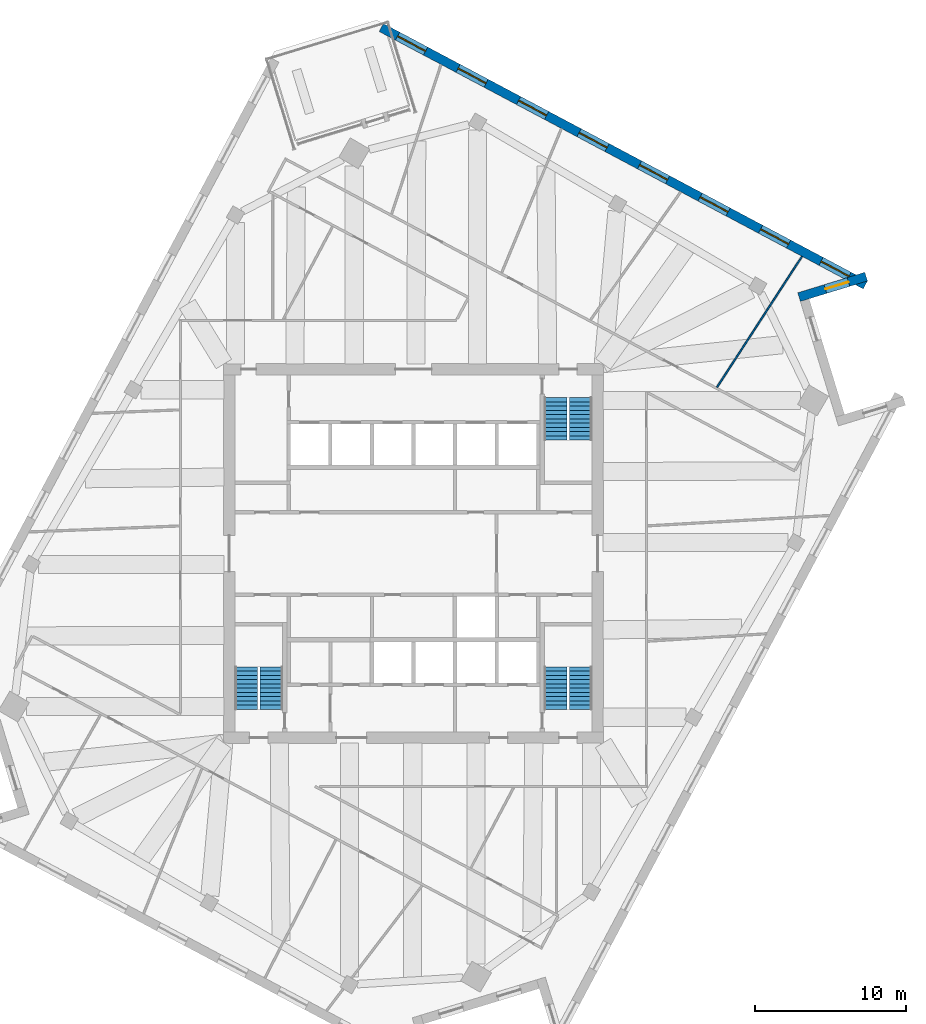
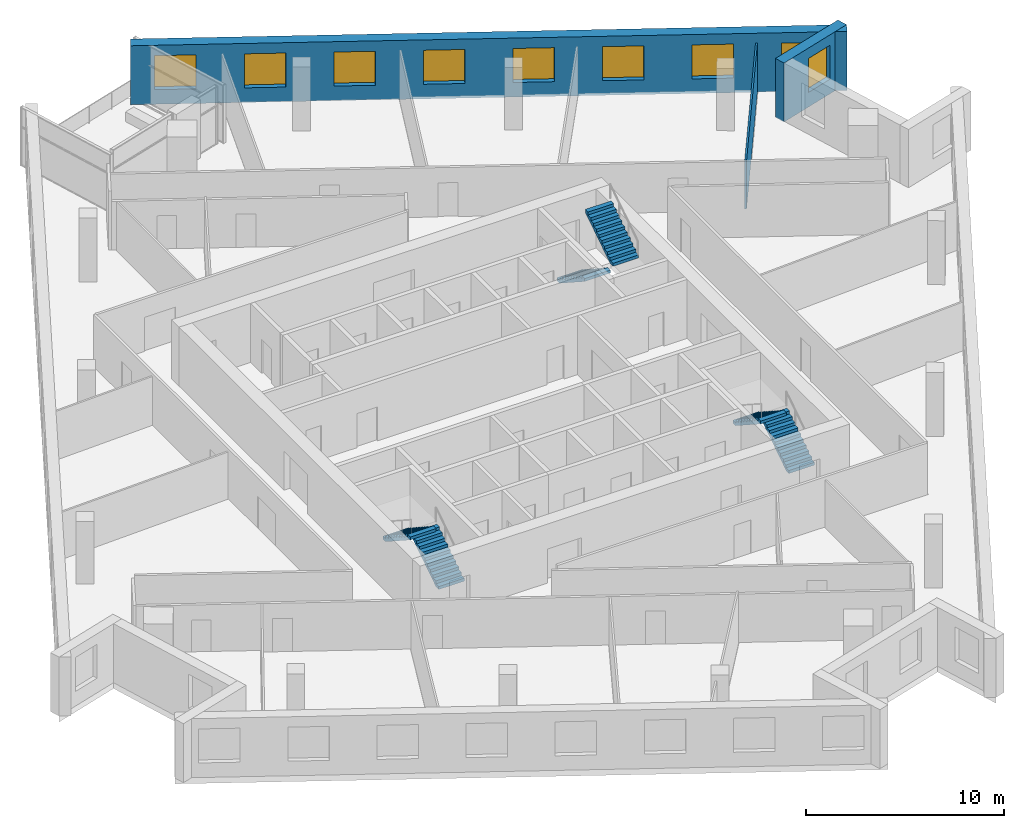
# One storey, part 11 of 13: 9 windows, 6 stair flights, 3 walls, 9 openings, 3 elements without a shape of their own.
"""IFC4 building model written with IfcOpenShell, lengths in metres."""

from ifc_helpers import new_model, si_unit, direction, frame, frame_2d, origin, place, context, subcontext, project, spatial, polyline, rectangle, outline, extrude, material, layer, layer_set, type_object, element, fill, aggregate, save


model = new_model("IFC4")

# Units and contexts
model_context = context("Model", 3, precision=1e-05, world=origin(), true_north=direction((0.0, 1.0)))
body_context = subcontext(model_context, "Body", "Model", "MODEL_VIEW")
ifc_project = project(units=[si_unit("LENGTHUNIT", "METRE"), si_unit("AREAUNIT", "SQUARE_METRE"), si_unit("VOLUMEUNIT", "CUBIC_METRE"), si_unit("PLANEANGLEUNIT", "RADIAN"), si_unit("MASSUNIT", "GRAM", prefix="KILO")], contexts=[model_context])

# Site, building, storey
site_placement = place(None, origin())
site = spatial("IfcSite", under=ifc_project, at=site_placement, CompositionType="ELEMENT")
building_placement = place(site_placement, origin())
building = spatial("IfcBuilding", under=site, at=building_placement, Name="Dilmun Exchange Tower", CompositionType="ELEMENT")
storey_placement = place(building_placement, frame((0.0, 0.0, 278.89990234375)))
storey = spatial("IfcBuildingStorey", under=building, at=storey_placement, Name="L66", CompositionType="ELEMENT", Elevation=278.89990234375)

# Wall
ifc_material_1 = material(Name="Partition 100")
ifc_layer_1 = layer(ifc_material_1, 0.10009765625)
ifc_layer_set_1 = layer_set([ifc_layer_1], Name="Partition 100")
wall_type_1 = type_object("IfcWallType", Name="Partition 100", PredefinedType="PARTITIONING", material=ifc_layer_set_1)
wall_1_placement = place(storey_placement, frame((20.0673828125, 10.994873046875, 0.0), z_axis=(0.0, 0.0, 1.0), x_axis=(0.545104885897, 0.838367856834, 0.0)))
element("IfcWall", 1, at=wall_1_placement, inside=storey, type_object=wall_type_1, Name="Partition", PredefinedType="PARTITIONING", context=body_context, shape_type="SweptSolid", body=[
    extrude(rectangle(XDim=10.308837890625, YDim=0.10009765625, at=frame_2d((5.154296875, 0.0))), origin(), (0.0, 0.0, 1.0), 3.0400390625),
])

# Wall, opening, window
ifc_material_2 = material(Name="Precast concrete C50/60", Category="concrete")
ifc_layer_2 = layer(ifc_material_2, 0.60009765625)
ifc_layer_set_2 = layer_set([ifc_layer_2], Name="Precast concrete C50/60")
wall_type_2 = type_object("IfcWallType", Name="Precast stone-clad wall 600", PredefinedType="STANDARD", material=ifc_layer_set_2)
wall_2_placement = place(storey_placement, frame((25.49462890625, 16.94921875, 0.0), z_axis=(0.0, 0.0, 1.0), x_axis=(0.956292267386, 0.292412549899, 0.0)))
wall_2 = element("IfcWall", 2, at=wall_2_placement, inside=storey, type_object=wall_type_2, Name="Facade wall L66-14", PredefinedType="STANDARD", context=body_context, shape_type="SweptSolid", body=[
    extrude(rectangle(XDim=4.635498046875, YDim=0.60009765625, at=frame_2d((2.31787109375, 0.0))), origin(), (0.0, 0.0, 1.0), 3.64013671875),
])
opening_1_placement = place(wall_2_placement, frame((1.81787109375, 0.0, 0.89990234375)))
opening_1 = element("IfcOpeningElement", 3, at=opening_1_placement, cuts=wall_2, Name="Opening W160-210", PredefinedType="OPENING", context=body_context, shape_type="SweptSolid", body=[
    extrude(rectangle(XDim=1.60009765625, YDim=2.10009765625, at=frame_2d((0.800048828125, 1.050048828125))), frame((0.0, 0.31005859375, 0.0), z_axis=(0.0, -1.0, 0.0), x_axis=(1.0, 0.0, 0.0)), (0.0, 0.0, 1.0), 0.6201171875),
])
ifc_material_3 = material(Name="Clear low-emissivity glass in aluminium frame", Category="aluminium")
window_type_1 = type_object("IfcWindowType", Name="Punched window 1600 x 2100", PartitioningType="DOUBLE_PANEL_VERTICAL", PredefinedType="WINDOW", material=ifc_material_3)
window_1_placement = place(opening_1_placement, origin())
window_1 = element("IfcWindow", 4, at=window_1_placement, inside=storey, type_object=window_type_1, Name="Window 15.1", OverallHeight=2.10009765625, OverallWidth=1.60009765625, PartitioningType="SINGLE_PANEL", PredefinedType="WINDOW", context=body_context, shape_type="SweptSolid", body=[
    extrude(rectangle(XDim=1.60009765625, YDim=2.10009765625, at=frame_2d((0.800048828125, 1.050048828125))), frame((0.0, 0.030029296875, 0.0), z_axis=(0.0, -1.0, 0.0), x_axis=(1.0, 0.0, 0.0)), (0.0, 0.0, 1.0), 0.06005859375),
])
fill(opening_1, window_1)

# Wall, openings, windows
wall_3_placement = place(storey_placement, frame((29.87451171875, 17.752685546875, 0.0), z_axis=(0.0, 0.0, 1.0), x_axis=(-0.88294707281, 0.469472540854, 0.0)))
wall_3 = element("IfcWall", 5, at=wall_3_placement, inside=storey, type_object=wall_type_2, Name="Facade wall L66-15", PredefinedType="STANDARD", context=body_context, shape_type="SweptSolid", body=[
    extrude(rectangle(XDim=36.2431640625, YDim=0.60009765625, at=frame_2d((18.12158203125, 0.0))), origin(), (0.0, 0.0, 1.0), 3.64013671875),
])
opening_2_placement = place(wall_3_placement, frame((1.215087890625, 0.0, 0.89990234375)))
opening_2 = element("IfcOpeningElement", 6, at=opening_2_placement, cuts=wall_3, Name="Opening W210-210", PredefinedType="OPENING", context=body_context, shape_type="SweptSolid", body=[
    extrude(rectangle(XDim=2.10009765625, YDim=2.10009765625, at=frame_2d((1.050048828125, 1.050048828125))), frame((0.0, 0.31005859375, 0.0), z_axis=(0.0, -1.0, 0.0), x_axis=(1.0, 0.0, 0.0)), (0.0, 0.0, 1.0), 0.6201171875),
])
opening_3_placement = place(wall_3_placement, frame((5.74560546875, 0.0, 0.89990234375)))
opening_3 = element("IfcOpeningElement", 7, at=opening_3_placement, cuts=wall_3, Name="Opening W210-210", PredefinedType="OPENING", context=body_context, shape_type="SweptSolid", body=[
    extrude(rectangle(XDim=2.10009765625, YDim=2.10009765625, at=frame_2d((1.050048828125, 1.050048828125))), frame((0.0, 0.31005859375, 0.0), z_axis=(0.0, -1.0, 0.0), x_axis=(1.0, 0.0, 0.0)), (0.0, 0.0, 1.0), 0.6201171875),
])
opening_4_placement = place(wall_3_placement, frame((10.27587890625, 0.0, 0.89990234375)))
opening_4 = element("IfcOpeningElement", 8, at=opening_4_placement, cuts=wall_3, Name="Opening W210-210", PredefinedType="OPENING", context=body_context, shape_type="SweptSolid", body=[
    extrude(rectangle(XDim=2.10009765625, YDim=2.10009765625, at=frame_2d((1.050048828125, 1.050048828125))), frame((0.0, 0.31005859375, 0.0), z_axis=(0.0, -1.0, 0.0), x_axis=(1.0, 0.0, 0.0)), (0.0, 0.0, 1.0), 0.6201171875),
])
opening_5_placement = place(wall_3_placement, frame((14.806396484375, 0.0, 0.89990234375)))
opening_5 = element("IfcOpeningElement", 9, at=opening_5_placement, cuts=wall_3, Name="Opening W210-210", PredefinedType="OPENING", context=body_context, shape_type="SweptSolid", body=[
    extrude(rectangle(XDim=2.10009765625, YDim=2.10009765625, at=frame_2d((1.050048828125, 1.050048828125))), frame((0.0, 0.31005859375, 0.0), z_axis=(0.0, -1.0, 0.0), x_axis=(1.0, 0.0, 0.0)), (0.0, 0.0, 1.0), 0.6201171875),
])
opening_6_placement = place(wall_3_placement, frame((19.3369140625, 0.0, 0.89990234375)))
opening_6 = element("IfcOpeningElement", 10, at=opening_6_placement, cuts=wall_3, Name="Opening W210-210", PredefinedType="OPENING", context=body_context, shape_type="SweptSolid", body=[
    extrude(rectangle(XDim=2.10009765625, YDim=2.10009765625, at=frame_2d((1.050048828125, 1.050048828125))), frame((0.0, 0.31005859375, 0.0), z_axis=(0.0, -1.0, 0.0), x_axis=(1.0, 0.0, 0.0)), (0.0, 0.0, 1.0), 0.6201171875),
])
opening_7_placement = place(wall_3_placement, frame((23.8671875, 0.0, 0.89990234375)))
opening_7 = element("IfcOpeningElement", 11, at=opening_7_placement, cuts=wall_3, Name="Opening W210-210", PredefinedType="OPENING", context=body_context, shape_type="SweptSolid", body=[
    extrude(rectangle(XDim=2.10009765625, YDim=2.10009765625, at=frame_2d((1.050048828125, 1.050048828125))), frame((0.0, 0.31005859375, 0.0), z_axis=(0.0, -1.0, 0.0), x_axis=(1.0, 0.0, 0.0)), (0.0, 0.0, 1.0), 0.6201171875),
])
opening_8_placement = place(wall_3_placement, frame((28.397705078125, 0.0, 0.89990234375)))
opening_8 = element("IfcOpeningElement", 12, at=opening_8_placement, cuts=wall_3, Name="Opening W210-210", PredefinedType="OPENING", context=body_context, shape_type="SweptSolid", body=[
    extrude(rectangle(XDim=2.10009765625, YDim=2.10009765625, at=frame_2d((1.050048828125, 1.050048828125))), frame((0.0, 0.31005859375, 0.0), z_axis=(0.0, -1.0, 0.0), x_axis=(1.0, 0.0, 0.0)), (0.0, 0.0, 1.0), 0.6201171875),
])
opening_9_placement = place(wall_3_placement, frame((32.927978515625, 0.0, 0.89990234375)))
opening_9 = element("IfcOpeningElement", 13, at=opening_9_placement, cuts=wall_3, Name="Opening W210-210", PredefinedType="OPENING", context=body_context, shape_type="SweptSolid", body=[
    extrude(rectangle(XDim=2.10009765625, YDim=2.10009765625, at=frame_2d((1.050048828125, 1.050048828125))), frame((0.0, 0.31005859375, 0.0), z_axis=(0.0, -1.0, 0.0), x_axis=(1.0, 0.0, 0.0)), (0.0, 0.0, 1.0), 0.6201171875),
])
window_type_2 = type_object("IfcWindowType", Name="Punched window 2100 x 2100", PartitioningType="DOUBLE_PANEL_VERTICAL", PredefinedType="WINDOW", material=ifc_material_3)
window_2_placement = place(opening_2_placement, origin())
window_2 = element("IfcWindow", 14, at=window_2_placement, inside=storey, type_object=window_type_2, Name="Window 16.1", OverallHeight=2.10009765625, OverallWidth=2.10009765625, PartitioningType="SINGLE_PANEL", PredefinedType="WINDOW", context=body_context, shape_type="SweptSolid", body=[
    extrude(rectangle(XDim=2.10009765625, YDim=2.10009765625, at=frame_2d((1.050048828125, 1.050048828125))), frame((0.0, 0.030029296875, 0.0), z_axis=(0.0, -1.0, 0.0), x_axis=(1.0, 0.0, 0.0)), (0.0, 0.0, 1.0), 0.06005859375),
])
fill(opening_2, window_2)
window_3_placement = place(opening_3_placement, origin())
window_3 = element("IfcWindow", 15, at=window_3_placement, inside=storey, type_object=window_type_2, Name="Window 16.2", OverallHeight=2.10009765625, OverallWidth=2.10009765625, PartitioningType="SINGLE_PANEL", PredefinedType="WINDOW", context=body_context, shape_type="SweptSolid", body=[
    extrude(rectangle(XDim=2.10009765625, YDim=2.10009765625, at=frame_2d((1.050048828125, 1.050048828125))), frame((0.0, 0.030029296875, 0.0), z_axis=(0.0, -1.0, 0.0), x_axis=(1.0, 0.0, 0.0)), (0.0, 0.0, 1.0), 0.06005859375),
])
fill(opening_3, window_3)
window_4_placement = place(opening_4_placement, origin())
window_4 = element("IfcWindow", 16, at=window_4_placement, inside=storey, type_object=window_type_2, Name="Window 16.3", OverallHeight=2.10009765625, OverallWidth=2.10009765625, PartitioningType="SINGLE_PANEL", PredefinedType="WINDOW", context=body_context, shape_type="SweptSolid", body=[
    extrude(rectangle(XDim=2.10009765625, YDim=2.10009765625, at=frame_2d((1.050048828125, 1.050048828125))), frame((0.0, 0.030029296875, 0.0), z_axis=(0.0, -1.0, 0.0), x_axis=(1.0, 0.0, 0.0)), (0.0, 0.0, 1.0), 0.06005859375),
])
fill(opening_4, window_4)
window_5_placement = place(opening_5_placement, origin())
window_5 = element("IfcWindow", 17, at=window_5_placement, inside=storey, type_object=window_type_2, Name="Window 16.4", OverallHeight=2.10009765625, OverallWidth=2.10009765625, PartitioningType="SINGLE_PANEL", PredefinedType="WINDOW", context=body_context, shape_type="SweptSolid", body=[
    extrude(rectangle(XDim=2.10009765625, YDim=2.10009765625, at=frame_2d((1.050048828125, 1.050048828125))), frame((0.0, 0.030029296875, 0.0), z_axis=(0.0, -1.0, 0.0), x_axis=(1.0, 0.0, 0.0)), (0.0, 0.0, 1.0), 0.06005859375),
])
fill(opening_5, window_5)
window_6_placement = place(opening_6_placement, origin())
window_6 = element("IfcWindow", 18, at=window_6_placement, inside=storey, type_object=window_type_2, Name="Window 16.5", OverallHeight=2.10009765625, OverallWidth=2.10009765625, PartitioningType="SINGLE_PANEL", PredefinedType="WINDOW", context=body_context, shape_type="SweptSolid", body=[
    extrude(rectangle(XDim=2.10009765625, YDim=2.10009765625, at=frame_2d((1.050048828125, 1.050048828125))), frame((0.0, 0.030029296875, 0.0), z_axis=(0.0, -1.0, 0.0), x_axis=(1.0, 0.0, 0.0)), (0.0, 0.0, 1.0), 0.06005859375),
])
fill(opening_6, window_6)
window_7_placement = place(opening_7_placement, origin())
window_7 = element("IfcWindow", 19, at=window_7_placement, inside=storey, type_object=window_type_2, Name="Window 16.6", OverallHeight=2.10009765625, OverallWidth=2.10009765625, PartitioningType="SINGLE_PANEL", PredefinedType="WINDOW", context=body_context, shape_type="SweptSolid", body=[
    extrude(rectangle(XDim=2.10009765625, YDim=2.10009765625, at=frame_2d((1.050048828125, 1.050048828125))), frame((0.0, 0.030029296875, 0.0), z_axis=(0.0, -1.0, 0.0), x_axis=(1.0, 0.0, 0.0)), (0.0, 0.0, 1.0), 0.06005859375),
])
fill(opening_7, window_7)
window_8_placement = place(opening_8_placement, origin())
window_8 = element("IfcWindow", 20, at=window_8_placement, inside=storey, type_object=window_type_2, Name="Window 16.7", OverallHeight=2.10009765625, OverallWidth=2.10009765625, PartitioningType="SINGLE_PANEL", PredefinedType="WINDOW", context=body_context, shape_type="SweptSolid", body=[
    extrude(rectangle(XDim=2.10009765625, YDim=2.10009765625, at=frame_2d((1.050048828125, 1.050048828125))), frame((0.0, 0.030029296875, 0.0), z_axis=(0.0, -1.0, 0.0), x_axis=(1.0, 0.0, 0.0)), (0.0, 0.0, 1.0), 0.06005859375),
])
fill(opening_8, window_8)
window_9_placement = place(opening_9_placement, origin())
window_9 = element("IfcWindow", 21, at=window_9_placement, inside=storey, type_object=window_type_2, Name="Window 16.8", OverallHeight=2.10009765625, OverallWidth=2.10009765625, PartitioningType="SINGLE_PANEL", PredefinedType="WINDOW", context=body_context, shape_type="SweptSolid", body=[
    extrude(rectangle(XDim=2.10009765625, YDim=2.10009765625, at=frame_2d((1.050048828125, 1.050048828125))), frame((0.0, 0.030029296875, 0.0), z_axis=(0.0, -1.0, 0.0), x_axis=(1.0, 0.0, 0.0)), (0.0, 0.0, 1.0), 0.06005859375),
])
fill(opening_9, window_9)

# Stair, stair flights
ifc_material_4 = material(Name="Concrete C40/50", Category="concrete")
stair_type = type_object("IfcStairType", Name="Exit stair 1500 half-turn", PredefinedType="HALF_TURN_STAIR", material=ifc_material_4)
stair_1_placement = place(storey_placement, origin())
stair_1 = element("IfcStair", 22, at=stair_1_placement, inside=storey, type_object=stair_type, Name="L66 Protected exit stair ST1", PredefinedType="HALF_TURN_STAIR")
stair_flight_type = type_object("IfcStairFlightType", Name="Exit stair flight 1500", PredefinedType="STRAIGHT", material=ifc_material_4)
stair_flight_1_placement = place(storey_placement, frame((9.39990234375, 10.300048828125, 0.0), z_axis=(0.0, 0.0, 1.0), x_axis=(0.0, -1.0, 0.0)))
stair_flight_1 = element("IfcStairFlight", 23, at=stair_flight_1_placement, type_object=stair_flight_type, Name="ST1 flight 1", NumberOfRisers=11, NumberOfTreads=10, PredefinedType="STRAIGHT", RiserHeight=0.181818182, TreadLength=0.28, context=body_context, shape_type="SweptSolid", body=[
    extrude(outline(polyline([(0.0, 0.0), (0.0, 0.181884765625), (0.280029296875, 0.181884765625), (0.280029296875, 0.363525390625), (0.56005859375, 0.363525390625), (0.56005859375, 0.54541015625), (0.840087890625, 0.54541015625), (0.840087890625, 0.727294921875), (1.1201171875, 0.727294921875), (1.1201171875, 0.9091796875), (1.39990234375, 0.9091796875), (1.39990234375, 1.0908203125), (1.679931640625, 1.0908203125), (1.679931640625, 1.272705078125), (1.9599609375, 1.272705078125), (1.9599609375, 1.45458984375), (2.239990234375, 1.45458984375), (2.239990234375, 1.636474609375), (2.52001953125, 1.636474609375), (2.52001953125, 1.818115234375), (2.800048828125, 1.818115234375), (2.800048828125, 2.0), (2.800048828125, 1.639404296875), (0.275146484375, 0.0), (0.0, 0.0)])), frame((0.0, 0.75, 0.0), z_axis=(0.0, -1.0, 0.0), x_axis=(1.0, 0.0, 0.0)), (0.0, 0.0, 1.0), 1.5),
])
stair_flight_2_placement = place(storey_placement, frame((11.050048828125, 7.5, 2.0), z_axis=(0.0, 0.0, 1.0), x_axis=(0.0, 1.0, 0.0)))
stair_flight_2 = element("IfcStairFlight", 24, at=stair_flight_2_placement, type_object=stair_flight_type, Name="ST1 flight 2", NumberOfRisers=11, NumberOfTreads=10, PredefinedType="STRAIGHT", RiserHeight=0.181818182, TreadLength=0.28, context=body_context, shape_type="SweptSolid", body=[
    extrude(outline(polyline([(0.0, 0.0), (0.0, 0.181884765625), (0.280029296875, 0.181884765625), (0.280029296875, 0.363525390625), (0.56005859375, 0.363525390625), (0.56005859375, 0.54541015625), (0.840087890625, 0.54541015625), (0.840087890625, 0.727294921875), (1.1201171875, 0.727294921875), (1.1201171875, 0.9091796875), (1.39990234375, 0.9091796875), (1.39990234375, 1.0908203125), (1.679931640625, 1.0908203125), (1.679931640625, 1.272705078125), (1.9599609375, 1.272705078125), (1.9599609375, 1.45458984375), (2.239990234375, 1.45458984375), (2.239990234375, 1.636474609375), (2.52001953125, 1.636474609375), (2.52001953125, 1.818115234375), (2.800048828125, 1.818115234375), (2.800048828125, 2.0), (2.800048828125, 1.639404296875), (0.275146484375, 0.0), (0.0, 0.0)])), frame((0.0, 0.75, 0.0), z_axis=(0.0, -1.0, 0.0), x_axis=(1.0, 0.0, 0.0)), (0.0, 0.0, 1.0), 1.5),
])
aggregate(stair_1, [stair_flight_1, stair_flight_2])

stair_2_placement = place(storey_placement, origin())
stair_2 = element("IfcStair", 25, at=stair_2_placement, inside=storey, type_object=stair_type, Name="L66 Protected exit stair ST2", PredefinedType="HALF_TURN_STAIR")
stair_flight_3_placement = place(storey_placement, frame((-9.39990234375, -10.300048828125, 0.0), z_axis=(0.0, 0.0, 1.0), x_axis=(0.0, 1.0, 0.0)))
stair_flight_3 = element("IfcStairFlight", 26, at=stair_flight_3_placement, type_object=stair_flight_type, Name="ST2 flight 1", NumberOfRisers=11, NumberOfTreads=10, PredefinedType="STRAIGHT", RiserHeight=0.181818182, TreadLength=0.28, context=body_context, shape_type="SweptSolid", body=[
    extrude(outline(polyline([(0.0, 0.0), (0.0, 0.181884765625), (0.280029296875, 0.181884765625), (0.280029296875, 0.363525390625), (0.56005859375, 0.363525390625), (0.56005859375, 0.54541015625), (0.840087890625, 0.54541015625), (0.840087890625, 0.727294921875), (1.1201171875, 0.727294921875), (1.1201171875, 0.9091796875), (1.39990234375, 0.9091796875), (1.39990234375, 1.0908203125), (1.679931640625, 1.0908203125), (1.679931640625, 1.272705078125), (1.9599609375, 1.272705078125), (1.9599609375, 1.45458984375), (2.239990234375, 1.45458984375), (2.239990234375, 1.636474609375), (2.52001953125, 1.636474609375), (2.52001953125, 1.818115234375), (2.800048828125, 1.818115234375), (2.800048828125, 2.0), (2.800048828125, 1.639404296875), (0.275146484375, 0.0), (0.0, 0.0)])), frame((0.0, 0.75, 0.0), z_axis=(0.0, -1.0, 0.0), x_axis=(1.0, 0.0, 0.0)), (0.0, 0.0, 1.0), 1.5),
])
stair_flight_4_placement = place(storey_placement, frame((-11.050048828125, -7.5, 2.0), z_axis=(0.0, 0.0, 1.0), x_axis=(0.0, -1.0, 0.0)))
stair_flight_4 = element("IfcStairFlight", 27, at=stair_flight_4_placement, type_object=stair_flight_type, Name="ST2 flight 2", NumberOfRisers=11, NumberOfTreads=10, PredefinedType="STRAIGHT", RiserHeight=0.181818182, TreadLength=0.28, context=body_context, shape_type="SweptSolid", body=[
    extrude(outline(polyline([(0.0, 0.0), (0.0, 0.181884765625), (0.280029296875, 0.181884765625), (0.280029296875, 0.363525390625), (0.56005859375, 0.363525390625), (0.56005859375, 0.54541015625), (0.840087890625, 0.54541015625), (0.840087890625, 0.727294921875), (1.1201171875, 0.727294921875), (1.1201171875, 0.9091796875), (1.39990234375, 0.9091796875), (1.39990234375, 1.0908203125), (1.679931640625, 1.0908203125), (1.679931640625, 1.272705078125), (1.9599609375, 1.272705078125), (1.9599609375, 1.45458984375), (2.239990234375, 1.45458984375), (2.239990234375, 1.636474609375), (2.52001953125, 1.636474609375), (2.52001953125, 1.818115234375), (2.800048828125, 1.818115234375), (2.800048828125, 2.0), (2.800048828125, 1.639404296875), (0.275146484375, 0.0), (0.0, 0.0)])), frame((0.0, 0.75, 0.0), z_axis=(0.0, -1.0, 0.0), x_axis=(1.0, 0.0, 0.0)), (0.0, 0.0, 1.0), 1.5),
])
aggregate(stair_2, [stair_flight_3, stair_flight_4])

stair_3_placement = place(storey_placement, origin())
stair_3 = element("IfcStair", 28, at=stair_3_placement, inside=storey, type_object=stair_type, Name="L66 Protected exit stair ST3", PredefinedType="HALF_TURN_STAIR")
stair_flight_5_placement = place(storey_placement, frame((11.050048828125, -10.300048828125, 0.0), z_axis=(0.0, 0.0, 1.0), x_axis=(0.0, 1.0, 0.0)))
stair_flight_5 = element("IfcStairFlight", 29, at=stair_flight_5_placement, type_object=stair_flight_type, Name="ST3 flight 1", NumberOfRisers=11, NumberOfTreads=10, PredefinedType="STRAIGHT", RiserHeight=0.181818182, TreadLength=0.28, context=body_context, shape_type="SweptSolid", body=[
    extrude(outline(polyline([(0.0, 0.0), (0.0, 0.181884765625), (0.280029296875, 0.181884765625), (0.280029296875, 0.363525390625), (0.56005859375, 0.363525390625), (0.56005859375, 0.54541015625), (0.840087890625, 0.54541015625), (0.840087890625, 0.727294921875), (1.1201171875, 0.727294921875), (1.1201171875, 0.9091796875), (1.39990234375, 0.9091796875), (1.39990234375, 1.0908203125), (1.679931640625, 1.0908203125), (1.679931640625, 1.272705078125), (1.9599609375, 1.272705078125), (1.9599609375, 1.45458984375), (2.239990234375, 1.45458984375), (2.239990234375, 1.636474609375), (2.52001953125, 1.636474609375), (2.52001953125, 1.818115234375), (2.800048828125, 1.818115234375), (2.800048828125, 2.0), (2.800048828125, 1.639404296875), (0.275146484375, 0.0), (0.0, 0.0)])), frame((0.0, 0.75, 0.0), z_axis=(0.0, -1.0, 0.0), x_axis=(1.0, 0.0, 0.0)), (0.0, 0.0, 1.0), 1.5),
])
stair_flight_6_placement = place(storey_placement, frame((9.39990234375, -7.5, 2.0), z_axis=(0.0, 0.0, 1.0), x_axis=(0.0, -1.0, 0.0)))
stair_flight_6 = element("IfcStairFlight", 30, at=stair_flight_6_placement, type_object=stair_flight_type, Name="ST3 flight 2", NumberOfRisers=11, NumberOfTreads=10, PredefinedType="STRAIGHT", RiserHeight=0.181818182, TreadLength=0.28, context=body_context, shape_type="SweptSolid", body=[
    extrude(outline(polyline([(0.0, 0.0), (0.0, 0.181884765625), (0.280029296875, 0.181884765625), (0.280029296875, 0.363525390625), (0.56005859375, 0.363525390625), (0.56005859375, 0.54541015625), (0.840087890625, 0.54541015625), (0.840087890625, 0.727294921875), (1.1201171875, 0.727294921875), (1.1201171875, 0.9091796875), (1.39990234375, 0.9091796875), (1.39990234375, 1.0908203125), (1.679931640625, 1.0908203125), (1.679931640625, 1.272705078125), (1.9599609375, 1.272705078125), (1.9599609375, 1.45458984375), (2.239990234375, 1.45458984375), (2.239990234375, 1.636474609375), (2.52001953125, 1.636474609375), (2.52001953125, 1.818115234375), (2.800048828125, 1.818115234375), (2.800048828125, 2.0), (2.800048828125, 1.639404296875), (0.275146484375, 0.0), (0.0, 0.0)])), frame((0.0, 0.75, 0.0), z_axis=(0.0, -1.0, 0.0), x_axis=(1.0, 0.0, 0.0)), (0.0, 0.0, 1.0), 1.5),
])
aggregate(stair_3, [stair_flight_5, stair_flight_6])

save(model, "model.ifc")
